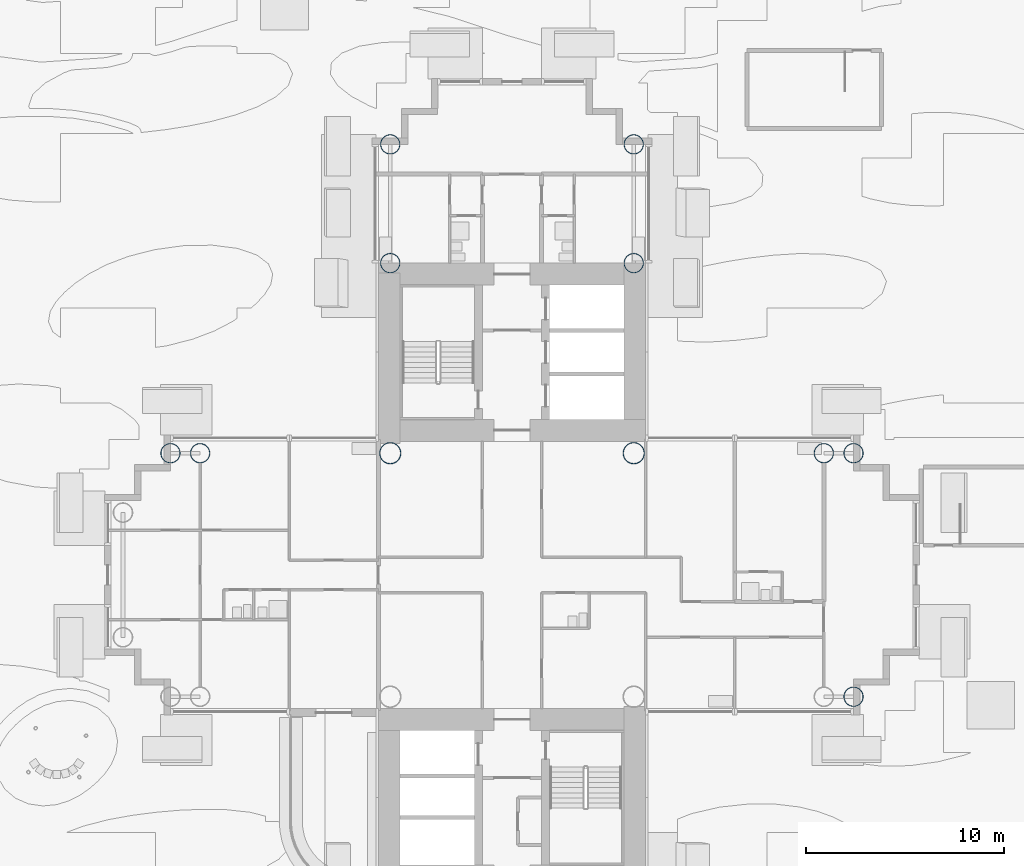
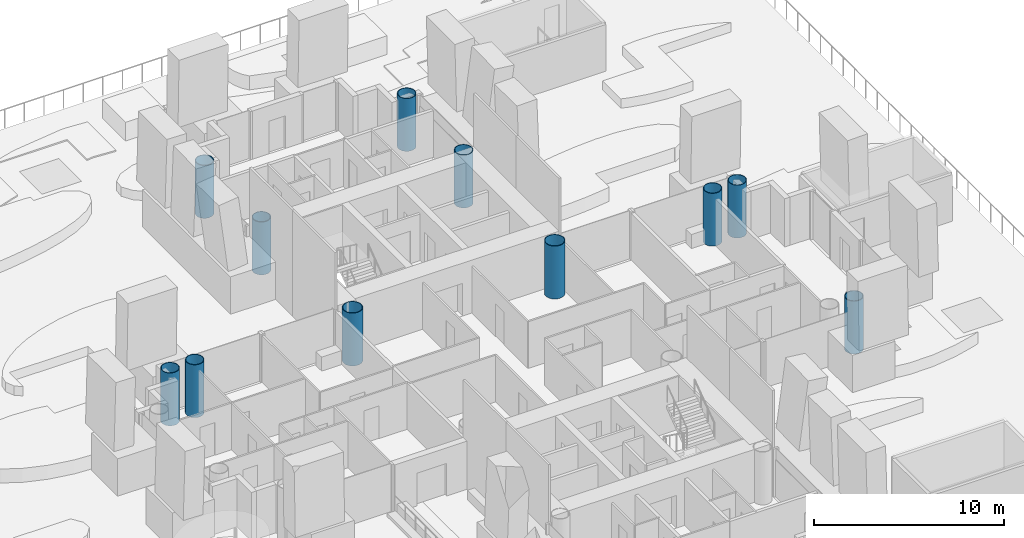
# One storey, part 2 of 40: 11 columns.
"""IFC4 building model written with IfcOpenShell, lengths in metres."""

from ifc_helpers import new_model, si_unit, direction, frame, origin, origin_2d, place, context, subcontext, project, spatial, hollow_circle, extrude, material, material_profile, profile_set, type_object, element, save


model = new_model("IFC4")

# Units and contexts
model_context = context("Model", 3, precision=1e-05, world=origin(), true_north=direction((0.0, 1.0)))
body_context = subcontext(model_context, "Body", "Model", "MODEL_VIEW")
ifc_project = project(units=[si_unit("LENGTHUNIT", "METRE"), si_unit("AREAUNIT", "SQUARE_METRE"), si_unit("VOLUMEUNIT", "CUBIC_METRE"), si_unit("PLANEANGLEUNIT", "RADIAN"), si_unit("MASSUNIT", "GRAM", prefix="KILO")], contexts=[model_context])

# Site, building, storey
site_placement = place(None, origin())
site = spatial("IfcSite", under=ifc_project, at=site_placement, CompositionType="ELEMENT")
building_placement = place(site_placement, origin())
building = spatial("IfcBuilding", under=site, at=building_placement, Name="Ipe Terrace Towers", CompositionType="ELEMENT")
storey_placement = place(building_placement, frame((0.0, 0.0, 24.5)))
storey = spatial("IfcBuildingStorey", under=building, at=storey_placement, Name="L05", CompositionType="ELEMENT", Elevation=24.5)

# Columns
ifc_material_1 = material(Name="Steel S355 tube with Concrete C60/75 fill", Category="concrete")
ifc_material_profile_1 = material_profile(ifc_material_1, hollow_circle(Radius=0.5, WallThickness=0.035888671875, at=origin_2d()), Name="CHS-1000x36")
ifc_profile_set_1 = profile_set([ifc_material_profile_1], Name="Steel S355 tube with Concrete C60/75 fill")
column_type_1 = type_object("IfcColumnType", Name="CH01 COLUMN CHS-1000x36", PredefinedType="COLUMN", material=ifc_profile_set_1)
for number, where, z_axis, x_axis, name in (
    (1, (42.14990234375, 15.75, 0.0), (0.0, 0.0, 1.0), (1.0, 0.0, 0.0), "Column T2-C-A01"),
    (2, (29.85009765625, 15.75, 0.0), (0.0, 0.0, 1.0), (1.0, 0.0, 0.0), "Column T2-C-A02"),
    (3, (42.14990234375, 21.75, 0.0), (0.0, 0.0, 1.0), (1.0, 0.0, 0.0), "Column T2-C-A03"),
    (4, (29.85009765625, 21.75, 0.0), (0.0, 0.0, 1.0), (1.0, 0.0, 0.0), "Column T2-C-A04"),
    (5, (20.25, 6.14990234375, 0.0), (0.0, 0.0, 1.0), (1.0, 0.0, 0.0), "Column T2-C-B03"),
    (6, (18.75, 6.14990234375, 0.0), (0.0, 0.0, 1.0), (1.0, 0.0, 0.0), "Column T2-C-B05"),
    (7, (51.75, 6.14990234375, 0.0), (0.0, 0.0, 1.0), (1.0, 0.0, 0.0), "Column T2-C-D04"),
    (8, (53.25, -6.14990234375, 0.0), (0.0, 0.0, 1.0), (1.0, 0.0, 0.0), "Column T2-C-D05"),
    (9, (53.25, 6.14990234375, 0.0), (0.0, 0.0, 1.0), (1.0, 0.0, 0.0), "Column T2-C-D06"),
):
    element("IfcColumn", number, at=place(storey_placement, frame(where, z_axis=z_axis, x_axis=x_axis)), inside=storey, type_object=column_type_1, Name=name, PredefinedType="COLUMN", context=body_context, shape_type="SweptSolid", body=[
        extrude(hollow_circle(Radius=0.5, WallThickness=0.035888671875, at=origin_2d()), origin(), (0.0, 0.0, 1.0), 3.39990234375),
    ])
ifc_material_2 = material(Name="Steel S355 tube with Concrete C60/75 fill", Category="concrete")
ifc_material_profile_2 = material_profile(ifc_material_2, hollow_circle(Radius=0.550048828125, WallThickness=0.0400390625, at=origin_2d()), Name="CHS-1100x40")
ifc_profile_set_2 = profile_set([ifc_material_profile_2], Name="Steel S355 tube with Concrete C60/75 fill")
column_type_2 = type_object("IfcColumnType", Name="CH02 COLUMN CHS-1100x40", PredefinedType="COLUMN", material=ifc_profile_set_2)
for number, where, z_axis, x_axis, name in (
    (10, (42.14990234375, 6.14990234375, 0.0), (0.0, 0.0, 1.0), (1.0, 0.0, 0.0), "Column T2-C-E02"),
    (11, (29.85009765625, 6.14990234375, 0.0), (0.0, 0.0, 1.0), (1.0, 0.0, 0.0), "Column T2-C-E03"),
):
    element("IfcColumn", number, at=place(storey_placement, frame(where, z_axis=z_axis, x_axis=x_axis)), inside=storey, type_object=column_type_2, Name=name, PredefinedType="COLUMN", context=body_context, shape_type="SweptSolid", body=[
        extrude(hollow_circle(Radius=0.550048828125, WallThickness=0.0400390625, at=origin_2d()), origin(), (0.0, 0.0, 1.0), 3.39990234375),
    ])

save(model, "model.ifc")
